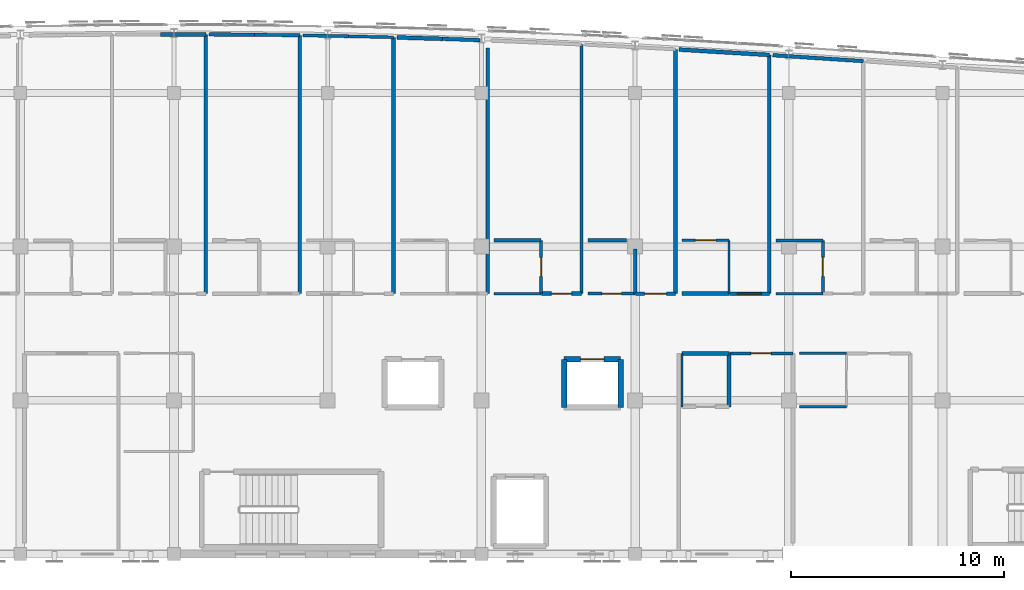
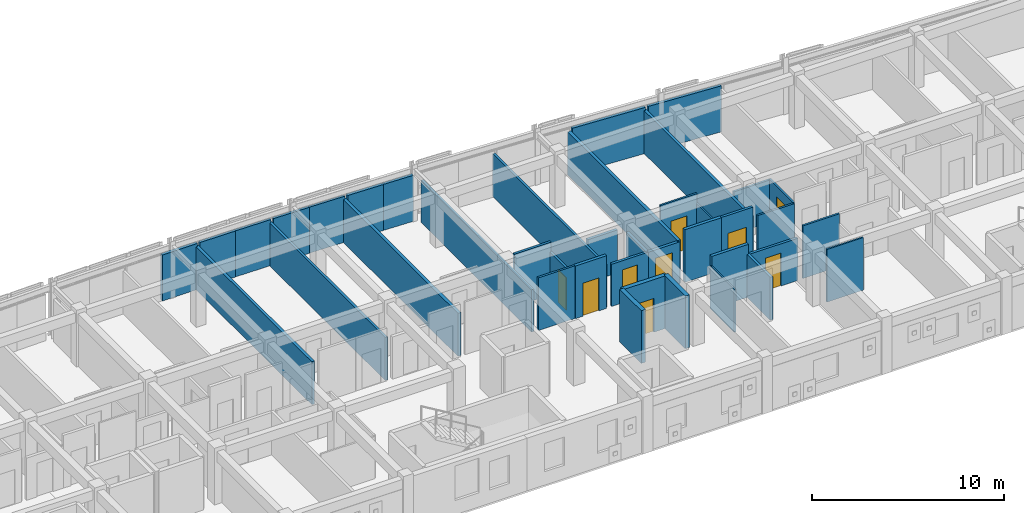
# One storey, part 41 of 48: 40 walls, 9 doors, 9 openings.
"""IFC4 building model written with IfcOpenShell, lengths in metres."""

from ifc_helpers import new_model, si_unit, direction, frame, frame_2d, origin, place, context, subcontext, project, spatial, rectangle, extrude, material, layer, layer_set, type_object, element, fill, save


model = new_model("IFC4")

# Units and contexts
model_context = context("Model", 3, precision=1e-05, world=origin(), true_north=direction((0.0, 1.0)))
body_context = subcontext(model_context, "Body", "Model", "MODEL_VIEW")
ifc_project = project(units=[si_unit("LENGTHUNIT", "METRE"), si_unit("AREAUNIT", "SQUARE_METRE"), si_unit("VOLUMEUNIT", "CUBIC_METRE"), si_unit("PLANEANGLEUNIT", "RADIAN"), si_unit("MASSUNIT", "GRAM", prefix="KILO")], contexts=[model_context])

# Site, building, storey
site_placement = place(None, origin())
site = spatial("IfcSite", under=ifc_project, at=site_placement, CompositionType="ELEMENT")
building_placement = place(site_placement, origin())
building = spatial("IfcBuilding", under=site, at=building_placement, Name="Carrowvane Square Congress Hotel", CompositionType="ELEMENT")
storey_placement = place(building_placement, frame((0.0, 0.0, 26.39990234375)))
storey = spatial("IfcBuildingStorey", under=building, at=storey_placement, Name="L06", CompositionType="ELEMENT", Elevation=26.39990234375)

# Wall, opening, door
ifc_material_1 = material(Name="Acoustic gypsum board", Category="gypsum")
ifc_layer_1 = layer(ifc_material_1, 0.155029296875)
ifc_layer_set_1 = layer_set([ifc_layer_1], Name="Acoustic gypsum board")
wall_type_1 = type_object("IfcWallType", Name="WL-FIR-155", PredefinedType="PARTITIONING", material=ifc_layer_set_1)
wall_1_placement = place(storey_placement, frame((124.010009765625, 101.199951171875, 0.0), z_axis=(0.0, 0.0, 1.0), x_axis=(1.0, 0.0, 0.0)))
wall_1 = element("IfcWall", 1, at=wall_1_placement, inside=storey, type_object=wall_type_1, Name="L06 Hotel Suite 0607 partition", PredefinedType="PARTITIONING", context=body_context, shape_type="SweptSolid", body=[
    extrude(rectangle(XDim=2.97998046875, YDim=0.155029296875, at=frame_2d((1.489990234375, 0.0))), origin(), (0.0, 0.0, 1.0), 2.68505859375),
])
opening_1_placement = place(wall_1_placement, frame((1.014892578125, 0.0, 0.0)))
opening_1 = element("IfcOpeningElement", 2, at=opening_1_placement, cuts=wall_1, Name="Opening FD-06", PredefinedType="OPENING", context=body_context, shape_type="SweptSolid", body=[
    extrude(rectangle(XDim=0.949951171875, YDim=2.10009765625, at=frame_2d((0.47509765625, 1.050048828125))), frame((0.0, 0.08740234375, 0.0), z_axis=(0.0, -1.0, 0.0), x_axis=(1.0, 0.0, 0.0)), (0.0, 0.0, 1.0), 0.175048828125),
])
ifc_material_2 = material(Name="European oak timber", Category="wood")
door_type_1 = type_object("IfcDoorType", Name="DR-FD30-0950x2100", OperationType="NOTDEFINED", PredefinedType="DOOR", material=ifc_material_2)
door_1_placement = place(opening_1_placement, origin())
door_1 = element("IfcDoor", 3, at=door_1_placement, inside=storey, type_object=door_type_1, Name="L06 Hotel Suite 0607 entrance door", OperationType="SINGLE_SWING_LEFT", OverallHeight=2.10009765625, OverallWidth=0.949951171875, PredefinedType="DOOR", context=body_context, shape_type="SweptSolid", body=[
    extrude(rectangle(XDim=0.949951171875, YDim=2.10009765625, at=frame_2d((0.47509765625, 1.050048828125))), frame((0.0, 0.02490234375, 0.0), z_axis=(0.0, -1.0, 0.0), x_axis=(1.0, 0.0, 0.0)), (0.0, 0.0, 1.0), 0.050048828125),
])
fill(opening_1, door_1)

# Walls
wall_2_placement = place(storey_placement, frame((101.77001953125, 116.128662109375, 0.0), z_axis=(0.0, 0.0, 1.0), x_axis=(0.999915329499, -0.013012833379, 0.0)))
element("IfcWall", 4, at=wall_2_placement, inside=storey, type_object=wall_type_1, Name="L06 Parkview Guest Bedroom 0619 partition", PredefinedType="PARTITIONING", context=body_context, shape_type="SweptSolid", body=[
    extrude(rectangle(XDim=2.1201171875, YDim=0.155029296875, at=frame_2d((1.06005859375, 0.0))), origin(), (0.0, 0.0, 1.0), 2.92578125),
])
wall_3_placement = place(storey_placement, frame((112.68994140625, 115.50244140625, 0.0), z_axis=(0.0, 0.0, 1.0), x_axis=(0.0, -1.0, 0.0)))
element("IfcWall", 5, at=wall_3_placement, inside=storey, type_object=wall_type_1, Name="L06 Parkview Guest Bedroom 0621 partition", PredefinedType="PARTITIONING", context=body_context, shape_type="SweptSolid", body=[
    extrude(rectangle(XDim=11.50244140625, YDim=0.155029296875, at=frame_2d((5.751220703125, 0.0))), origin(), (0.0, 0.0, 1.0), 2.68505859375),
])
wall_4_placement = place(storey_placement, frame((119.60009765625, 106.090087890625, 0.0), z_axis=(0.0, 0.0, 1.0), x_axis=(0.0, -1.0, 0.0)))
element("IfcWall", 6, at=wall_4_placement, inside=storey, type_object=wall_type_1, Name="L06 En-suite Bathroom 0623 partition", PredefinedType="PARTITIONING", context=body_context, shape_type="SweptSolid", body=[
    extrude(rectangle(XDim=2.090087890625, YDim=0.155029296875, at=frame_2d((1.044921875, 0.0))), origin(), (0.0, 0.0, 1.0), 2.68505859375),
])

# Wall, opening, door
wall_5_placement = place(storey_placement, frame((125.889892578125, 104.0, 0.0), z_axis=(0.0, 0.0, 1.0), x_axis=(-1.0, 0.0, 0.0)))
wall_5 = element("IfcWall", 7, at=wall_5_placement, inside=storey, type_object=wall_type_1, Name="L06 Parkview Guest Bedroom 0624 partition", PredefinedType="PARTITIONING", context=body_context, shape_type="SweptSolid", body=[
    extrude(rectangle(XDim=1.8798828125, YDim=0.155029296875, at=frame_2d((0.93994140625, 0.0))), origin(), (0.0, 0.0, 1.0), 3.35009765625),
])
opening_2_placement = place(wall_5_placement, frame((0.3798828125, 0.0, 0.0)))
opening_2 = element("IfcOpeningElement", 8, at=opening_2_placement, cuts=wall_5, Name="Opening FD-10", PredefinedType="OPENING", context=body_context, shape_type="SweptSolid", body=[
    extrude(rectangle(XDim=1.1201171875, YDim=2.199951171875, at=frame_2d((0.56005859375, 1.10009765625))), frame((0.0, 0.08740234375, 0.0), z_axis=(0.0, -1.0, 0.0), x_axis=(1.0, 0.0, 0.0)), (0.0, 0.0, 1.0), 0.175048828125),
])
ifc_material_3 = material(Name="European oak timber", Category="wood")
door_type_2 = type_object("IfcDoorType", Name="DR-FD30-1120x2200", OperationType="NOTDEFINED", PredefinedType="DOOR", material=ifc_material_3)
door_2_placement = place(opening_2_placement, origin())
door_2 = element("IfcDoor", 9, at=door_2_placement, inside=storey, type_object=door_type_2, Name="L06 Parkview Guest Bedroom 0624 entrance door", OperationType="SINGLE_SWING_LEFT", OverallHeight=2.199951171875, OverallWidth=1.1201171875, PredefinedType="DOOR", context=body_context, shape_type="SweptSolid", body=[
    extrude(rectangle(XDim=1.1201171875, YDim=2.199951171875, at=frame_2d((0.56005859375, 1.10009765625))), frame((0.0, 0.02490234375, 0.0), z_axis=(0.0, -1.0, 0.0), x_axis=(1.0, 0.0, 0.0)), (0.0, 0.0, 1.0), 0.050048828125),
])
fill(opening_2, door_2)

# Walls
ifc_material_4 = material(Name="Acoustic gypsum board", Category="gypsum")
ifc_layer_2 = layer(ifc_material_4, 0.169921875)
ifc_layer_set_2 = layer_set([ifc_layer_2], Name="Acoustic gypsum board")
wall_type_2 = type_object("IfcWallType", Name="WL-FIR-170", PredefinedType="PARTITIONING", material=ifc_layer_set_2)
wall_6_placement = place(storey_placement, frame((124.0, 101.199951171875, 0.0), z_axis=(0.0, 0.0, 1.0), x_axis=(0.0, -1.0, 0.0)))
element("IfcWall", 10, at=wall_6_placement, inside=storey, type_object=wall_type_2, Name="L06 En-suite Bathroom 0607 partition", PredefinedType="PARTITIONING", context=body_context, shape_type="SweptSolid", body=[
    extrude(rectangle(XDim=2.5, YDim=0.169921875, at=frame_2d((1.25, 0.0))), origin(), (0.0, 0.0, 1.0), 2.735107421875),
])
wall_7_placement = place(storey_placement, frame((99.489990234375, 116.14501953125, 0.0), z_axis=(0.0, 0.0, 1.0), x_axis=(0.0, -1.0, 0.0)))
element("IfcWall", 11, at=wall_7_placement, inside=storey, type_object=wall_type_2, Name="L06 Parkview Guest Bedroom 0618 partition", PredefinedType="PARTITIONING", context=body_context, shape_type="SweptSolid", body=[
    extrude(rectangle(XDim=12.14501953125, YDim=0.169921875, at=frame_2d((6.072509765625, 0.0))), origin(), (0.0, 0.0, 1.0), 2.735107421875),
])
wall_8_placement = place(storey_placement, frame((99.64990234375, 116.14453125, 0.0), z_axis=(0.0, 0.0, 1.0), x_axis=(0.99997198834, -0.007484820272, 0.0)))
element("IfcWall", 12, at=wall_8_placement, inside=storey, type_object=wall_type_2, Name="L06 Parkview Guest Bedroom 0619 partition", PredefinedType="PARTITIONING", context=body_context, shape_type="SweptSolid", body=[
    extrude(rectangle(XDim=2.1201171875, YDim=0.169921875, at=frame_2d((1.06005859375, 0.0))), origin(), (0.0, 0.0, 1.0), 2.92578125),
])
wall_9_placement = place(storey_placement, frame((110.570068359375, 115.937255859375, 0.0), z_axis=(0.0, 0.0, 1.0), x_axis=(0.999375154514, -0.035345445825, 0.0)))
element("IfcWall", 13, at=wall_9_placement, inside=storey, type_object=wall_type_2, Name="L06 Parkview Guest Bedroom 0621 partition", PredefinedType="PARTITIONING", context=body_context, shape_type="SweptSolid", body=[
    extrude(rectangle(XDim=1.761474609375, YDim=0.169921875, at=frame_2d((0.880859375, 0.0))), origin(), (0.0, 0.0, 1.0), 2.92578125),
])
wall_10_placement = place(storey_placement, frame((117.39990234375, 106.5, 0.0), z_axis=(0.0, 0.0, 1.0), x_axis=(1.0, 0.0, 0.0)))
element("IfcWall", 14, at=wall_10_placement, inside=storey, type_object=wall_type_2, Name="L06 En-suite Bathroom 0623 partition", PredefinedType="PARTITIONING", context=body_context, shape_type="SweptSolid", body=[
    extrude(rectangle(XDim=1.7900390625, YDim=0.169921875, at=frame_2d((0.89501953125, 0.0))), origin(), (0.0, 0.0, 1.0), 2.735107421875),
])

# Wall, opening, door
wall_11_placement = place(storey_placement, frame((121.489990234375, 104.0, 0.0), z_axis=(0.0, 0.0, 1.0), x_axis=(-1.0, 0.0, 0.0)))
wall_11 = element("IfcWall", 15, at=wall_11_placement, inside=storey, type_object=wall_type_2, Name="L06 Parkview Guest Bedroom 0623 partition", PredefinedType="PARTITIONING", context=body_context, shape_type="SweptSolid", body=[
    extrude(rectangle(XDim=1.8798828125, YDim=0.169921875, at=frame_2d((0.93994140625, 0.0))), origin(), (0.0, 0.0, 1.0), 2.68505859375),
])
opening_3_placement = place(wall_11_placement, frame((0.429931640625, 0.0, 0.0)))
opening_3 = element("IfcOpeningElement", 16, at=opening_3_placement, cuts=wall_11, Name="Opening FD-08", PredefinedType="OPENING", context=body_context, shape_type="SweptSolid", body=[
    extrude(rectangle(XDim=1.02001953125, YDim=2.14990234375, at=frame_2d((0.510009765625, 1.074951171875))), frame((0.0, 0.094970703125, 0.0), z_axis=(0.0, -1.0, 0.0), x_axis=(1.0, 0.0, 0.0)), (0.0, 0.0, 1.0), 0.18994140625),
])
ifc_material_5 = material(Name="European oak timber", Category="wood")
door_type_3 = type_object("IfcDoorType", Name="DR-FD30-1020x2150", OperationType="NOTDEFINED", PredefinedType="DOOR", material=ifc_material_5)
door_3_placement = place(opening_3_placement, origin())
door_3 = element("IfcDoor", 17, at=door_3_placement, inside=storey, type_object=door_type_3, Name="L06 Parkview Guest Bedroom 0623 entrance door", OperationType="SINGLE_SWING_LEFT", OverallHeight=2.14990234375, OverallWidth=1.02001953125, PredefinedType="DOOR", context=body_context, shape_type="SweptSolid", body=[
    extrude(rectangle(XDim=1.02001953125, YDim=2.14990234375, at=frame_2d((0.510009765625, 1.074951171875))), frame((0.0, 0.02490234375, 0.0), z_axis=(0.0, -1.0, 0.0), x_axis=(1.0, 0.0, 0.0)), (0.0, 0.0, 1.0), 0.050048828125),
])
fill(opening_3, door_3)

# Walls
wall_12_placement = place(storey_placement, frame((125.889892578125, 115.18115234375, 0.0), z_axis=(0.0, 0.0, 1.0), x_axis=(0.0, -1.0, 0.0)))
element("IfcWall", 18, at=wall_12_placement, inside=storey, type_object=wall_type_2, Name="L06 Parkview Guest Bedroom 0624 partition", PredefinedType="PARTITIONING", context=body_context, shape_type="SweptSolid", body=[
    extrude(rectangle(XDim=11.18115234375, YDim=0.169921875, at=frame_2d((5.590576171875, 0.0))), origin(), (0.0, 0.0, 1.0), 2.735107421875),
])
wall_13_placement = place(storey_placement, frame((126.050048828125, 115.171142578125, 0.0), z_axis=(0.0, 0.0, 1.0), x_axis=(0.997852518731, -0.065500769929, 0.0)))
element("IfcWall", 19, at=wall_13_placement, inside=storey, type_object=wall_type_2, Name="L06 Parkview Guest Bedroom 0625 partition", PredefinedType="PARTITIONING", context=body_context, shape_type="SweptSolid", body=[
    extrude(rectangle(XDim=4.2490234375, YDim=0.169921875, at=frame_2d((2.12451171875, 0.0))), origin(), (0.0, 0.0, 1.0), 2.92578125),
])
ifc_material_6 = material(Name="Acoustic gypsum board", Category="gypsum")
ifc_layer_3 = layer(ifc_material_6, 0.18505859375)
ifc_layer_set_3 = layer_set([ifc_layer_3], Name="Acoustic gypsum board")
wall_type_3 = type_object("IfcWallType", Name="WL-FIR-185", PredefinedType="PARTITIONING", material=ifc_layer_set_3)
wall_14_placement = place(storey_placement, frame((121.800048828125, 101.199951171875, 0.0), z_axis=(0.0, 0.0, 1.0), x_axis=(1.0, 0.0, 0.0)))
element("IfcWall", 20, at=wall_14_placement, inside=storey, type_object=wall_type_3, Name="L06 En-suite Bathroom 0607 partition", PredefinedType="PARTITIONING", context=body_context, shape_type="SweptSolid", body=[
    extrude(rectangle(XDim=2.199951171875, YDim=0.18505859375, at=frame_2d((1.10009765625, 0.0))), origin(), (0.0, 0.0, 1.0), 3.35009765625),
])
wall_15_placement = place(storey_placement, frame((97.3701171875, 116.14794921875, 0.0), z_axis=(0.0, 0.0, 1.0), x_axis=(0.999999045024, -0.001382009506, 0.0)))
element("IfcWall", 21, at=wall_15_placement, inside=storey, type_object=wall_type_3, Name="L06 Parkview Guest Bedroom 0618 partition", PredefinedType="PARTITIONING", context=body_context, shape_type="SweptSolid", body=[
    extrude(rectangle(XDim=2.119873046875, YDim=0.18505859375, at=frame_2d((1.06005859375, 0.0))), origin(), (0.0, 0.0, 1.0), 2.92578125),
])
wall_16_placement = place(storey_placement, frame((108.2900390625, 116.005859375, 0.0), z_axis=(0.0, 0.0, 1.0), x_axis=(0.0, -1.0, 0.0)))
element("IfcWall", 22, at=wall_16_placement, inside=storey, type_object=wall_type_3, Name="L06 Parkview Guest Bedroom 0620 partition", PredefinedType="PARTITIONING", context=body_context, shape_type="SweptSolid", body=[
    extrude(rectangle(XDim=12.005859375, YDim=0.18505859375, at=frame_2d((6.0029296875, 0.0))), origin(), (0.0, 0.0, 1.0), 2.735107421875),
])
wall_17_placement = place(storey_placement, frame((108.449951171875, 116.001220703125, 0.0), z_axis=(0.0, 0.0, 1.0), x_axis=(0.999545183102, -0.030156706353, 0.0)))
element("IfcWall", 23, at=wall_17_placement, inside=storey, type_object=wall_type_3, Name="L06 Parkview Guest Bedroom 0621 partition", PredefinedType="PARTITIONING", context=body_context, shape_type="SweptSolid", body=[
    extrude(rectangle(XDim=2.12109375, YDim=0.18505859375, at=frame_2d((1.060546875, 0.0))), origin(), (0.0, 0.0, 1.0), 2.92578125),
])

# Wall, opening, door
wall_18_placement = place(storey_placement, frame((117.090087890625, 104.0, 0.0), z_axis=(0.0, 0.0, 1.0), x_axis=(-1.0, 0.0, 0.0)))
wall_18 = element("IfcWall", 24, at=wall_18_placement, inside=storey, type_object=wall_type_3, Name="L06 Parkview Guest Bedroom 0622 partition", PredefinedType="PARTITIONING", context=body_context, shape_type="SweptSolid", body=[
    extrude(rectangle(XDim=1.880126953125, YDim=0.18505859375, at=frame_2d((0.93994140625, 0.0))), origin(), (0.0, 0.0, 1.0), 3.35009765625),
])
opening_4_placement = place(wall_18_placement, frame((0.465087890625, 0.0, 0.0)))
opening_4 = element("IfcOpeningElement", 25, at=opening_4_placement, cuts=wall_18, Name="Opening FD-06", PredefinedType="OPENING", context=body_context, shape_type="SweptSolid", body=[
    extrude(rectangle(XDim=0.949951171875, YDim=2.10009765625, at=frame_2d((0.47509765625, 1.050048828125))), frame((0.0, 0.1025390625, 0.0), z_axis=(0.0, -1.0, 0.0), x_axis=(1.0, 0.0, 0.0)), (0.0, 0.0, 1.0), 0.205078125),
])
door_4_placement = place(opening_4_placement, origin())
door_4 = element("IfcDoor", 26, at=door_4_placement, inside=storey, type_object=door_type_1, Name="L06 Parkview Guest Bedroom 0622 entrance door", OperationType="SINGLE_SWING_LEFT", OverallHeight=2.10009765625, OverallWidth=0.949951171875, PredefinedType="DOOR", context=body_context, shape_type="SweptSolid", body=[
    extrude(rectangle(XDim=0.949951171875, YDim=2.10009765625, at=frame_2d((0.47509765625, 1.050048828125))), frame((0.0, 0.02490234375, 0.0), z_axis=(0.0, -1.0, 0.0), x_axis=(1.0, 0.0, 0.0)), (0.0, 0.0, 1.0), 0.050048828125),
])
fill(opening_4, door_4)

# Walls
wall_19_placement = place(storey_placement, frame((121.489990234375, 115.44384765625, 0.0), z_axis=(0.0, 0.0, 1.0), x_axis=(0.0, -1.0, 0.0)))
element("IfcWall", 27, at=wall_19_placement, inside=storey, type_object=wall_type_3, Name="L06 Parkview Guest Bedroom 0623 partition", PredefinedType="PARTITIONING", context=body_context, shape_type="SweptSolid", body=[
    extrude(rectangle(XDim=11.44384765625, YDim=0.18505859375, at=frame_2d((5.721923828125, 0.0))), origin(), (0.0, 0.0, 1.0), 2.735107421875),
])
wall_20_placement = place(storey_placement, frame((124.0, 104.0, 0.0), z_axis=(0.0, 0.0, 1.0), x_axis=(-1.0, 0.0, 0.0)))
element("IfcWall", 28, at=wall_20_placement, inside=storey, type_object=wall_type_3, Name="L06 En-suite Bathroom 0624 partition", PredefinedType="PARTITIONING", context=body_context, shape_type="SweptSolid", body=[
    extrude(rectangle(XDim=2.199951171875, YDim=0.18505859375, at=frame_2d((1.10009765625, 0.0))), origin(), (0.0, 0.0, 1.0), 3.35009765625),
])
wall_21_placement = place(storey_placement, frame((121.64990234375, 115.43505859375, 0.0), z_axis=(0.0, 0.0, 1.0), x_axis=(0.998211780047, -0.059776602248, 0.0)))
element("IfcWall", 29, at=wall_21_placement, inside=storey, type_object=wall_type_3, Name="L06 Parkview Guest Bedroom 0624 partition", PredefinedType="PARTITIONING", context=body_context, shape_type="SweptSolid", body=[
    extrude(rectangle(XDim=4.24755859375, YDim=0.18505859375, at=frame_2d((2.123779296875, 0.0))), origin(), (0.0, 0.0, 1.0), 2.92578125),
])
ifc_material_7 = material(Name="Acoustic gypsum board", Category="gypsum")
ifc_layer_4 = layer(ifc_material_7, 0.097900390625)
ifc_layer_set_4 = layer_set([ifc_layer_4], Name="Acoustic gypsum board")
wall_type_4 = type_object("IfcWallType", Name="WL-PRT-098", PredefinedType="PARTITIONING", material=ifc_layer_set_4)
wall_22_placement = place(storey_placement, frame((121.800048828125, 98.699951171875, 0.0), z_axis=(0.0, 0.0, 1.0), x_axis=(0.0, 1.0, 0.0)))
element("IfcWall", 30, at=wall_22_placement, inside=storey, type_object=wall_type_4, Name="L06 En-suite Bathroom 0607 partition", PredefinedType="PARTITIONING", context=body_context, shape_type="SweptSolid", body=[
    extrude(rectangle(XDim=2.5, YDim=0.097900390625, at=frame_2d((1.25, 0.0))), origin(), (0.0, 0.0, 1.0), 2.735107421875),
])
wall_23_placement = place(storey_placement, frame((129.5, 98.699951171875, 0.0), z_axis=(0.0, 0.0, 1.0), x_axis=(-1.0, 0.0, 0.0)))
element("IfcWall", 31, at=wall_23_placement, inside=storey, type_object=wall_type_4, Name="L06 En-suite Bathroom 0608 partition", PredefinedType="PARTITIONING", context=body_context, shape_type="SweptSolid", body=[
    extrude(rectangle(XDim=2.199951171875, YDim=0.097900390625, at=frame_2d((1.10009765625, 0.0))), origin(), (0.0, 0.0, 1.0), 3.35009765625),
])
wall_24_placement = place(storey_placement, frame((124.0, 106.5, 0.0), z_axis=(0.0, 0.0, 1.0), x_axis=(0.0, -1.0, 0.0)))
element("IfcWall", 32, at=wall_24_placement, inside=storey, type_object=wall_type_4, Name="L06 En-suite Bathroom 0624 partition", PredefinedType="PARTITIONING", context=body_context, shape_type="SweptSolid", body=[
    extrude(rectangle(XDim=2.5, YDim=0.097900390625, at=frame_2d((1.25, 0.0))), origin(), (0.0, 0.0, 1.0), 2.735107421875),
])

# Wall, opening, door
ifc_material_8 = material(Name="Acoustic gypsum board", Category="gypsum")
ifc_layer_5 = layer(ifc_material_8, 0.10791015625)
ifc_layer_set_5 = layer_set([ifc_layer_5], Name="Acoustic gypsum board")
wall_type_5 = type_object("IfcWallType", Name="WL-PRT-108", PredefinedType="PARTITIONING", material=ifc_layer_set_5)
wall_25_placement = place(storey_placement, frame((121.800048828125, 106.5, 0.0), z_axis=(0.0, 0.0, 1.0), x_axis=(1.0, 0.0, 0.0)))
wall_25 = element("IfcWall", 33, at=wall_25_placement, inside=storey, type_object=wall_type_5, Name="L06 En-suite Bathroom 0624 partition", PredefinedType="PARTITIONING", context=body_context, shape_type="SweptSolid", body=[
    extrude(rectangle(XDim=2.199951171875, YDim=0.10791015625, at=frame_2d((1.10009765625, 0.0))), origin(), (0.0, 0.0, 1.0), 3.35009765625),
])
opening_5_placement = place(wall_25_placement, frame((0.6201171875, 0.0, 0.0)))
opening_5 = element("IfcOpeningElement", 34, at=opening_5_placement, cuts=wall_25, Name="Opening ID-05", PredefinedType="OPENING", context=body_context, shape_type="SweptSolid", body=[
    extrude(rectangle(XDim=0.9599609375, YDim=2.139892578125, at=frame_2d((0.47998046875, 1.06982421875))), frame((0.0, 0.06396484375, 0.0), z_axis=(0.0, -1.0, 0.0), x_axis=(1.0, 0.0, 0.0)), (0.0, 0.0, 1.0), 0.1279296875),
])
ifc_material_9 = material(Name="European oak timber", Category="wood")
door_type_4 = type_object("IfcDoorType", Name="DR-INT-0960x2140", OperationType="NOTDEFINED", PredefinedType="DOOR", material=ifc_material_9)
door_5_placement = place(opening_5_placement, origin())
door_5 = element("IfcDoor", 35, at=door_5_placement, inside=storey, type_object=door_type_4, Name="L06 En-suite Bathroom 0624 door", OperationType="SINGLE_SWING_RIGHT", OverallHeight=2.139892578125, OverallWidth=0.9599609375, PredefinedType="DOOR", context=body_context, shape_type="SweptSolid", body=[
    extrude(rectangle(XDim=0.9599609375, YDim=2.139892578125, at=frame_2d((0.47998046875, 1.06982421875))), frame((0.0, 0.02490234375, 0.0), z_axis=(0.0, -1.0, 0.0), x_axis=(1.0, 0.0, 0.0)), (0.0, 0.0, 1.0), 0.050048828125),
])
fill(opening_5, door_5)

# Walls
ifc_material_10 = material(Name="Acoustic gypsum board", Category="gypsum")
ifc_layer_6 = layer(ifc_material_10, 0.117919921875)
ifc_layer_set_6 = layer_set([ifc_layer_6], Name="Acoustic gypsum board")
wall_type_6 = type_object("IfcWallType", Name="WL-PRT-118", PredefinedType="PARTITIONING", material=ifc_layer_set_6)
wall_26_placement = place(storey_placement, frame((127.300048828125, 101.199951171875, 0.0), z_axis=(0.0, 0.0, 1.0), x_axis=(1.0, 0.0, 0.0)))
element("IfcWall", 36, at=wall_26_placement, inside=storey, type_object=wall_type_6, Name="L06 En-suite Bathroom 0608 partition", PredefinedType="PARTITIONING", context=body_context, shape_type="SweptSolid", body=[
    extrude(rectangle(XDim=2.199951171875, YDim=0.117919921875, at=frame_2d((1.10009765625, 0.0))), origin(), (0.0, 0.0, 1.0), 3.35009765625),
])
wall_27_placement = place(storey_placement, frame((128.39990234375, 104.0, 0.0), z_axis=(0.0, 0.0, 1.0), x_axis=(-1.0, 0.0, 0.0)))
element("IfcWall", 37, at=wall_27_placement, inside=storey, type_object=wall_type_6, Name="L06 En-suite Bathroom 0625 partition", PredefinedType="PARTITIONING", context=body_context, shape_type="SweptSolid", body=[
    extrude(rectangle(XDim=2.199951171875, YDim=0.117919921875, at=frame_2d((1.10009765625, 0.0))), origin(), (0.0, 0.0, 1.0), 2.68505859375),
])
ifc_material_11 = material(Name="Acoustic gypsum board", Category="gypsum")
ifc_layer_7 = layer(ifc_material_11, 0.1279296875)
ifc_layer_set_7 = layer_set([ifc_layer_7], Name="Acoustic gypsum board")
wall_type_7 = type_object("IfcWallType", Name="WL-PRT-128", PredefinedType="PARTITIONING", material=ifc_layer_set_7)
wall_28_placement = place(storey_placement, frame((115.199951171875, 104.0, 0.0), z_axis=(0.0, 0.0, 1.0), x_axis=(-1.0, 0.0, 0.0)))
element("IfcWall", 38, at=wall_28_placement, inside=storey, type_object=wall_type_7, Name="L06 En-suite Bathroom 0622 partition", PredefinedType="PARTITIONING", context=body_context, shape_type="SweptSolid", body=[
    extrude(rectangle(XDim=2.199951171875, YDim=0.1279296875, at=frame_2d((1.10009765625, 0.0))), origin(), (0.0, 0.0, 1.0), 3.35009765625),
])

# Wall, opening, door
wall_29_placement = place(storey_placement, frame((128.39990234375, 106.5, 0.0), z_axis=(0.0, 0.0, 1.0), x_axis=(0.0, -1.0, 0.0)))
wall_29 = element("IfcWall", 39, at=wall_29_placement, inside=storey, type_object=wall_type_7, Name="L06 En-suite Bathroom 0625 partition", PredefinedType="PARTITIONING", context=body_context, shape_type="SweptSolid", body=[
    extrude(rectangle(XDim=2.5, YDim=0.1279296875, at=frame_2d((1.25, 0.0))), origin(), (0.0, 0.0, 1.0), 2.735107421875),
])
opening_6_placement = place(wall_29_placement, frame((0.804931640625, 0.0, 0.0)))
opening_6 = element("IfcOpeningElement", 40, at=opening_6_placement, cuts=wall_29, Name="Opening ID-16", PredefinedType="OPENING", context=body_context, shape_type="SweptSolid", body=[
    extrude(rectangle(XDim=0.889892578125, YDim=2.090087890625, at=frame_2d((0.44482421875, 1.044921875))), frame((0.0, 0.073974609375, 0.0), z_axis=(0.0, -1.0, 0.0), x_axis=(1.0, 0.0, 0.0)), (0.0, 0.0, 1.0), 0.14794921875),
])
ifc_material_12 = material(Name="European oak timber", Category="wood")
door_type_5 = type_object("IfcDoorType", Name="DR-INT-0890x2090", OperationType="NOTDEFINED", PredefinedType="DOOR", material=ifc_material_12)
door_6_placement = place(opening_6_placement, origin())
door_6 = element("IfcDoor", 41, at=door_6_placement, inside=storey, type_object=door_type_5, Name="L06 En-suite Bathroom 0625 door", OperationType="SINGLE_SWING_RIGHT", OverallHeight=2.090087890625, OverallWidth=0.889892578125, PredefinedType="DOOR", context=body_context, shape_type="SweptSolid", body=[
    extrude(rectangle(XDim=0.889892578125, YDim=2.090087890625, at=frame_2d((0.44482421875, 1.044921875))), frame((0.0, 0.02490234375, 0.0), z_axis=(0.0, -1.0, 0.0), x_axis=(1.0, 0.0, 0.0)), (0.0, 0.0, 1.0), 0.050048828125),
])
fill(opening_6, door_6)

# Wall
ifc_material_13 = material(Name="Acoustic gypsum board", Category="gypsum")
ifc_layer_8 = layer(ifc_material_13, 0.137939453125)
ifc_layer_set_8 = layer_set([ifc_layer_8], Name="Acoustic gypsum board")
wall_type_8 = type_object("IfcWallType", Name="WL-PRT-138", PredefinedType="PARTITIONING", material=ifc_layer_set_8)
wall_30_placement = place(storey_placement, frame((106.169921875, 116.057861328125, 0.0), z_axis=(0.0, 0.0, 1.0), x_axis=(0.999699327522, -0.024520492488, 0.0)))
element("IfcWall", 42, at=wall_30_placement, inside=storey, type_object=wall_type_8, Name="L06 Parkview Guest Bedroom 0620 partition", PredefinedType="PARTITIONING", context=body_context, shape_type="SweptSolid", body=[
    extrude(rectangle(XDim=2.120849609375, YDim=0.137939453125, at=frame_2d((1.060546875, 0.0))), origin(), (0.0, 0.0, 1.0), 2.92578125),
])

# Wall, opening, door
wall_31_placement = place(storey_placement, frame((115.199951171875, 106.5, 0.0), z_axis=(0.0, 0.0, 1.0), x_axis=(0.0, -1.0, 0.0)))
wall_31 = element("IfcWall", 43, at=wall_31_placement, inside=storey, type_object=wall_type_8, Name="L06 En-suite Bathroom 0622 partition", PredefinedType="PARTITIONING", context=body_context, shape_type="SweptSolid", body=[
    extrude(rectangle(XDim=2.5, YDim=0.137939453125, at=frame_2d((1.25, 0.0))), origin(), (0.0, 0.0, 1.0), 2.735107421875),
])
opening_7_placement = place(wall_31_placement, frame((0.81005859375, 0.0, 0.0)))
opening_7 = element("IfcOpeningElement", 44, at=opening_7_placement, cuts=wall_31, Name="Opening ID-01", PredefinedType="OPENING", context=body_context, shape_type="SweptSolid", body=[
    extrude(rectangle(XDim=0.8798828125, YDim=2.06005859375, at=frame_2d((0.43994140625, 1.030029296875))), frame((0.0, 0.078857421875, 0.0), z_axis=(0.0, -1.0, 0.0), x_axis=(1.0, 0.0, 0.0)), (0.0, 0.0, 1.0), 0.157958984375),
])
ifc_material_14 = material(Name="European oak timber", Category="wood")
door_type_6 = type_object("IfcDoorType", Name="DR-INT-0880x2060", OperationType="NOTDEFINED", PredefinedType="DOOR", material=ifc_material_14)
door_7_placement = place(opening_7_placement, origin())
door_7 = element("IfcDoor", 45, at=door_7_placement, inside=storey, type_object=door_type_6, Name="L06 En-suite Bathroom 0622 door", OperationType="SINGLE_SWING_RIGHT", OverallHeight=2.06005859375, OverallWidth=0.8798828125, PredefinedType="DOOR", context=body_context, shape_type="SweptSolid", body=[
    extrude(rectangle(XDim=0.8798828125, YDim=2.06005859375, at=frame_2d((0.43994140625, 1.030029296875))), frame((0.0, 0.02490234375, 0.0), z_axis=(0.0, -1.0, 0.0), x_axis=(1.0, 0.0, 0.0)), (0.0, 0.0, 1.0), 0.050048828125),
])
fill(opening_7, door_7)

# Walls
wall_32_placement = place(storey_placement, frame((117.090087890625, 115.673583984375, 0.0), z_axis=(0.0, 0.0, 1.0), x_axis=(0.0, -1.0, 0.0)))
element("IfcWall", 46, at=wall_32_placement, inside=storey, type_object=wall_type_8, Name="L06 Parkview Guest Bedroom 0622 partition", PredefinedType="PARTITIONING", context=body_context, shape_type="SweptSolid", body=[
    extrude(rectangle(XDim=11.673583984375, YDim=0.137939453125, at=frame_2d((5.8369140625, 0.0))), origin(), (0.0, 0.0, 1.0), 2.735107421875),
])
wall_33_placement = place(storey_placement, frame((126.199951171875, 106.5, 0.0), z_axis=(0.0, 0.0, 1.0), x_axis=(1.0, 0.0, 0.0)))
element("IfcWall", 47, at=wall_33_placement, inside=storey, type_object=wall_type_8, Name="L06 En-suite Bathroom 0625 partition", PredefinedType="PARTITIONING", context=body_context, shape_type="SweptSolid", body=[
    extrude(rectangle(XDim=2.199951171875, YDim=0.137939453125, at=frame_2d((1.10009765625, 0.0))), origin(), (0.0, 0.0, 1.0), 2.68505859375),
])
ifc_material_15 = material(Name="Acoustic gypsum board", Category="gypsum")
ifc_layer_9 = layer(ifc_material_15, 0.14794921875)
ifc_layer_set_9 = layer_set([ifc_layer_9], Name="Acoustic gypsum board")
wall_type_9 = type_object("IfcWallType", Name="WL-PRT-148", PredefinedType="PARTITIONING", material=ifc_layer_set_9)
wall_34_placement = place(storey_placement, frame((103.889892578125, 116.10107421875, 0.0), z_axis=(0.0, 0.0, 1.0), x_axis=(0.0, -1.0, 0.0)))
element("IfcWall", 48, at=wall_34_placement, inside=storey, type_object=wall_type_9, Name="L06 Parkview Guest Bedroom 0619 partition", PredefinedType="PARTITIONING", context=body_context, shape_type="SweptSolid", body=[
    extrude(rectangle(XDim=12.10107421875, YDim=0.14794921875, at=frame_2d((6.050537109375, 0.0))), origin(), (0.0, 0.0, 1.0), 2.735107421875),
])
wall_35_placement = place(storey_placement, frame((104.050048828125, 116.098388671875, 0.0), z_axis=(0.0, 0.0, 1.0), x_axis=(0.999817304626, -0.019114323686, 0.0)))
element("IfcWall", 49, at=wall_35_placement, inside=storey, type_object=wall_type_9, Name="L06 Parkview Guest Bedroom 0620 partition", PredefinedType="PARTITIONING", context=body_context, shape_type="SweptSolid", body=[
    extrude(rectangle(XDim=2.120361328125, YDim=0.14794921875, at=frame_2d((1.06005859375, 0.0))), origin(), (0.0, 0.0, 1.0), 2.92578125),
])
wall_36_placement = place(storey_placement, frame((113.0, 106.5, 0.0), z_axis=(0.0, 0.0, 1.0), x_axis=(1.0, 0.0, 0.0)))
element("IfcWall", 50, at=wall_36_placement, inside=storey, type_object=wall_type_9, Name="L06 En-suite Bathroom 0622 partition", PredefinedType="PARTITIONING", context=body_context, shape_type="SweptSolid", body=[
    extrude(rectangle(XDim=2.199951171875, YDim=0.14794921875, at=frame_2d((1.10009765625, 0.0))), origin(), (0.0, 0.0, 1.0), 3.35009765625),
])

# Wall, opening, door
wall_37_placement = place(storey_placement, frame((119.60009765625, 104.0, 0.0), z_axis=(0.0, 0.0, 1.0), x_axis=(-1.0, 0.0, 0.0)))
wall_37 = element("IfcWall", 51, at=wall_37_placement, inside=storey, type_object=wall_type_9, Name="L06 En-suite Bathroom 0623 partition", PredefinedType="PARTITIONING", context=body_context, shape_type="SweptSolid", body=[
    extrude(rectangle(XDim=2.2001953125, YDim=0.14794921875, at=frame_2d((1.10009765625, 0.0))), origin(), (0.0, 0.0, 1.0), 2.68505859375),
])
opening_8_placement = place(wall_37_placement, frame((0.639892578125, 0.0, 0.0)))
opening_8 = element("IfcOpeningElement", 52, at=opening_8_placement, cuts=wall_37, Name="Opening ID-03", PredefinedType="OPENING", context=body_context, shape_type="SweptSolid", body=[
    extrude(rectangle(XDim=0.919921875, YDim=2.10009765625, at=frame_2d((0.4599609375, 1.050048828125))), frame((0.0, 0.083984375, 0.0), z_axis=(0.0, -1.0, 0.0), x_axis=(1.0, 0.0, 0.0)), (0.0, 0.0, 1.0), 0.16796875),
])
ifc_material_16 = material(Name="European oak timber", Category="wood")
door_type_7 = type_object("IfcDoorType", Name="DR-INT-0920x2100", OperationType="NOTDEFINED", PredefinedType="DOOR", material=ifc_material_16)
door_8_placement = place(opening_8_placement, origin())
door_8 = element("IfcDoor", 53, at=door_8_placement, inside=storey, type_object=door_type_7, Name="L06 En-suite Bathroom 0623 door", OperationType="SINGLE_SWING_RIGHT", OverallHeight=2.10009765625, OverallWidth=0.919921875, PredefinedType="DOOR", context=body_context, shape_type="SweptSolid", body=[
    extrude(rectangle(XDim=0.919921875, YDim=2.10009765625, at=frame_2d((0.4599609375, 1.050048828125))), frame((0.0, 0.02490234375, 0.0), z_axis=(0.0, -1.0, 0.0), x_axis=(1.0, 0.0, 0.0)), (0.0, 0.0, 1.0), 0.050048828125),
])
fill(opening_8, door_8)

# Wall
ifc_material_17 = material(Name="Concrete C40/50", Category="concrete")
ifc_layer_10 = layer(ifc_material_17, 0.25)
ifc_layer_set_10 = layer_set([ifc_layer_10], Name="Concrete C40/50")
wall_type_10 = type_object("IfcWallType", Name="WL-SHR-250", PredefinedType="SHEAR", material=ifc_layer_set_10)
wall_38_placement = place(storey_placement, frame((118.925048828125, 98.675048828125, 0.0), z_axis=(0.0, 0.0, 1.0), x_axis=(0.0, 1.0, 0.0)))
element("IfcWall", 54, at=wall_38_placement, inside=storey, type_object=wall_type_10, Name="L06 HL-4 shaft wall east", PredefinedType="SHEAR", context=body_context, shape_type="SweptSolid", body=[
    extrude(rectangle(XDim=2.25, YDim=0.25, at=frame_2d((1.125, 0.0))), origin(), (0.0, 0.0, 1.0), 3.35009765625),
])

# Wall, opening, door
wall_39_placement = place(storey_placement, frame((118.925048828125, 100.925048828125, 0.0), z_axis=(0.0, 0.0, 1.0), x_axis=(-1.0, 0.0, 0.0)))
wall_39 = element("IfcWall", 55, at=wall_39_placement, inside=storey, type_object=wall_type_10, Name="L06 HL-4 shaft wall north", PredefinedType="SHEAR", context=body_context, shape_type="SweptSolid", body=[
    extrude(rectangle(XDim=2.650146484375, YDim=0.25, at=frame_2d((1.3251953125, 0.0))), origin(), (0.0, 0.0, 1.0), 3.35009765625),
])
opening_9_placement = place(wall_39_placement, frame((0.77490234375, 0.0, 0.0)))
opening_9 = element("IfcOpeningElement", 56, at=opening_9_placement, cuts=wall_39, Name="Opening LD-HL-4", PredefinedType="OPENING", context=body_context, shape_type="SweptSolid", body=[
    extrude(rectangle(XDim=1.10009765625, YDim=2.14990234375, at=frame_2d((0.550048828125, 1.074951171875))), frame((0.0, 0.135009765625, 0.0), z_axis=(0.0, -1.0, 0.0), x_axis=(1.0, 0.0, 0.0)), (0.0, 0.0, 1.0), 0.27001953125),
])
ifc_material_18 = material(Name="Stainless steel 316", Category="steel")
door_type_8 = type_object("IfcDoorType", Name="DR-LD-1100x2150", OperationType="DOUBLE_DOOR_SLIDING", PredefinedType="DOOR", material=ifc_material_18)
door_9_placement = place(opening_9_placement, origin())
door_9 = element("IfcDoor", 57, at=door_9_placement, inside=storey, type_object=door_type_8, Name="L06 HL-4 sliding lift landing door", OperationType="DOUBLE_DOOR_SLIDING", OverallHeight=2.14990234375, OverallWidth=1.10009765625, PredefinedType="DOOR", context=body_context, shape_type="SweptSolid", body=[
    extrude(rectangle(XDim=1.10009765625, YDim=2.14990234375, at=frame_2d((0.550048828125, 1.074951171875))), frame((0.0, 0.02490234375, 0.0), z_axis=(0.0, -1.0, 0.0), x_axis=(1.0, 0.0, 0.0)), (0.0, 0.0, 1.0), 0.050048828125),
])
fill(opening_9, door_9)

# Wall
wall_40_placement = place(storey_placement, frame((116.27490234375, 100.925048828125, 0.0), z_axis=(0.0, 0.0, 1.0), x_axis=(0.0, -1.0, 0.0)))
element("IfcWall", 58, at=wall_40_placement, inside=storey, type_object=wall_type_10, Name="L06 HL-4 shaft wall west", PredefinedType="SHEAR", context=body_context, shape_type="SweptSolid", body=[
    extrude(rectangle(XDim=2.25, YDim=0.25, at=frame_2d((1.125, 0.0))), origin(), (0.0, 0.0, 1.0), 3.35009765625),
])

save(model, "model.ifc")
